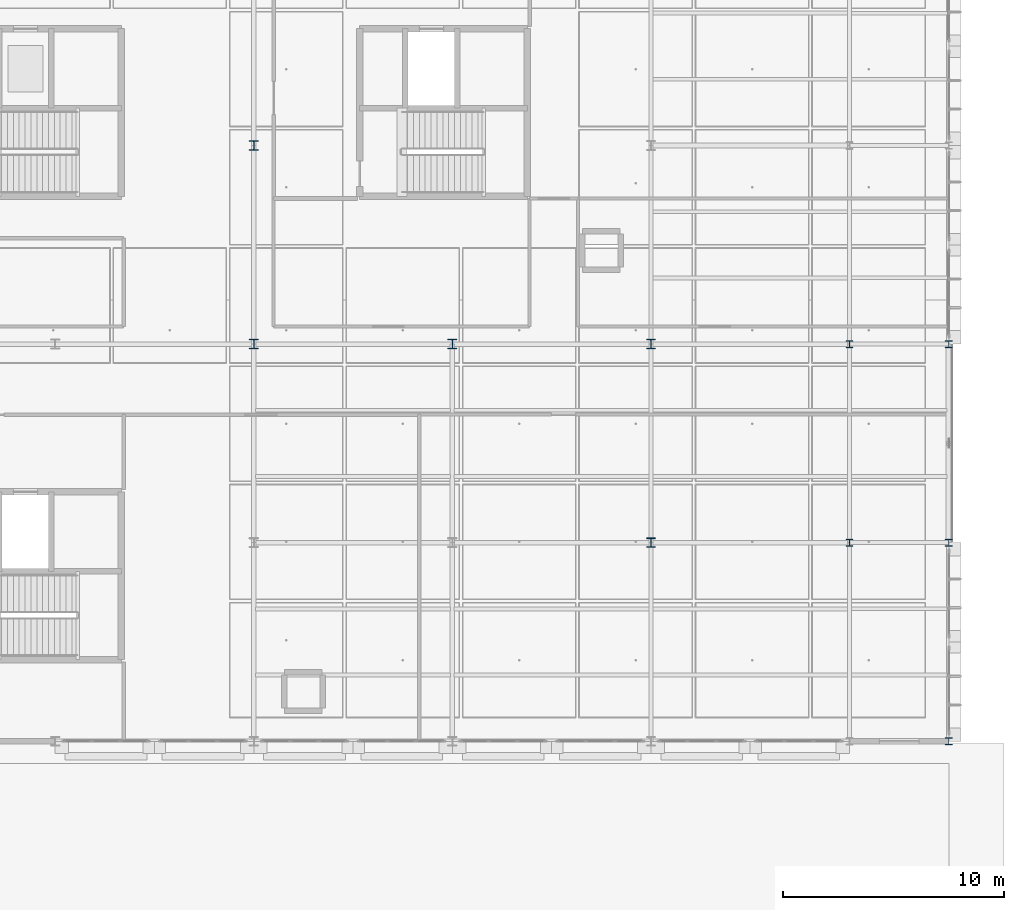
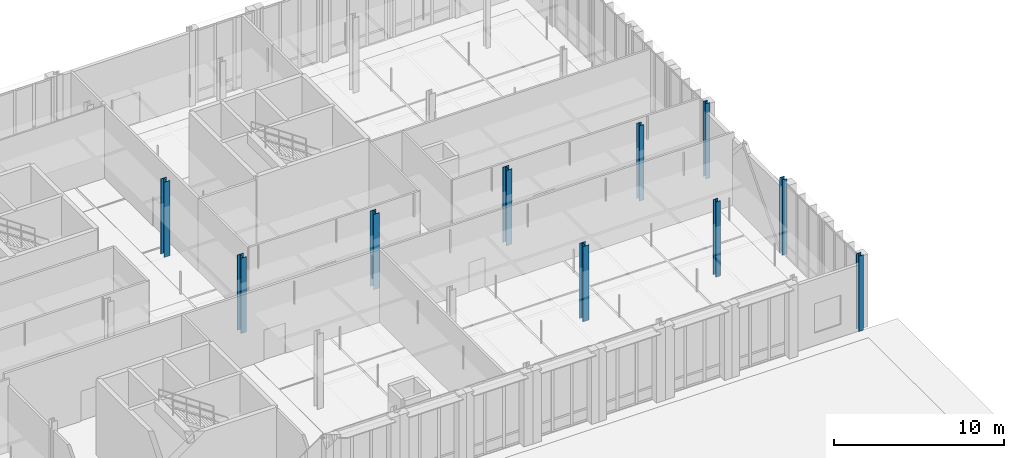
# One storey, part 26 of 180: 10 columns.
"""IFC4 building model written with IfcOpenShell, lengths in metres."""

from ifc_helpers import new_model, si_unit, direction, frame, origin, origin_2d, place, context, subcontext, project, spatial, i_section, extrude, material, material_profile, profile_set, type_object, element, save


model = new_model("IFC4")

# Units and contexts
model_context = context("Model", 3, precision=1e-05, world=origin(), true_north=direction((0.0, 1.0)))
body_context = subcontext(model_context, "Body", "Model", "MODEL_VIEW")
ifc_project = project(units=[si_unit("LENGTHUNIT", "METRE"), si_unit("AREAUNIT", "SQUARE_METRE"), si_unit("VOLUMEUNIT", "CUBIC_METRE"), si_unit("PLANEANGLEUNIT", "RADIAN"), si_unit("MASSUNIT", "GRAM", prefix="KILO"), si_unit("THERMODYNAMICTEMPERATUREUNIT", "KELVIN"), si_unit("POWERUNIT", "WATT")], contexts=[model_context])

# Site, building, storey
site_placement = place(None, origin())
site = spatial("IfcSite", under=ifc_project, at=site_placement, CompositionType="ELEMENT")
building_placement = place(site_placement, origin())
building = spatial("IfcBuilding", under=site, at=building_placement, Name="Tallowbark Science Centre", CompositionType="ELEMENT")
storey_placement = place(building_placement, origin())
storey = spatial("IfcBuildingStorey", under=building, at=storey_placement, Name="L00", CompositionType="ELEMENT", Elevation=0.0)

# Columns
ifc_material = material(Name="Structural Steel Grade 300PLUS (300 MPa)", Category="steel")
ifc_material_profile_1 = material_profile(ifc_material, i_section(OverallWidth=0.30908203125, OverallDepth=0.320556640625, WebThickness=0.013916015625, FlangeThickness=0.021728515625, FilletRadius=0.0166015625, at=origin_2d()), Name="310UC137")
ifc_profile_set_1 = profile_set([ifc_material_profile_1], Name="Structural Steel Grade 300PLUS (300 MPa)")
column_type_1 = type_object("IfcColumnType", Name="COL-UC310B", PredefinedType="COLUMN", material=ifc_profile_set_1)
for number, where, z_axis, x_axis, name in (
    (1, (157.5, 81.0, 0.0), (0.0, 0.0, 1.0), (1.0, 0.0, 0.0), "Column OBS-5_1 L00"),
    (2, (157.5, 90.0, 0.0), (0.0, 0.0, 1.0), (1.0, 0.0, 0.0), "Column OBS-5_2 L00"),
):
    element("IfcColumn", number, at=place(storey_placement, frame(where, z_axis=z_axis, x_axis=x_axis)), inside=storey, type_object=column_type_1, Name=name, PredefinedType="COLUMN", context=body_context, shape_type="SweptSolid", body=[
        extrude(i_section(OverallWidth=0.30908203125, OverallDepth=0.320556640625, WebThickness=0.013916015625, FlangeThickness=0.021728515625, FilletRadius=0.0166015625, at=origin_2d()), origin(), (0.0, 0.0, 1.0), 5.39990234375),
    ])
ifc_material_profile_2 = material_profile(ifc_material, i_section(OverallWidth=0.307373046875, OverallDepth=0.314697265625, WebThickness=0.011962890625, FlangeThickness=0.018798828125, FilletRadius=0.0166015625, at=origin_2d()), Name="310UC118")
ifc_profile_set_2 = profile_set([ifc_material_profile_2], Name="Structural Steel Grade 300PLUS (300 MPa)")
column_type_2 = type_object("IfcColumnType", Name="COL-UC310C", PredefinedType="COLUMN", material=ifc_profile_set_2)
for number, where, z_axis, x_axis, name in (
    (3, (162.0, 72.0, 0.0), (0.0, 0.0, 1.0), (1.0, 0.0, 0.0), "Column OBS-6_0 L00"),
    (4, (162.0, 81.0, 0.0), (0.0, 0.0, 1.0), (1.0, 0.0, 0.0), "Column OBS-6_1 L00"),
    (5, (162.0, 90.0, 0.0), (0.0, 0.0, 1.0), (1.0, 0.0, 0.0), "Column OBS-6_2 L00"),
):
    element("IfcColumn", number, at=place(storey_placement, frame(where, z_axis=z_axis, x_axis=x_axis)), inside=storey, type_object=column_type_2, Name=name, PredefinedType="COLUMN", context=body_context, shape_type="SweptSolid", body=[
        extrude(i_section(OverallWidth=0.307373046875, OverallDepth=0.314697265625, WebThickness=0.011962890625, FlangeThickness=0.018798828125, FilletRadius=0.0166015625, at=origin_2d()), origin(), (0.0, 0.0, 1.0), 5.39990234375),
    ])
ifc_material_profile_3 = material_profile(ifc_material, i_section(OverallWidth=0.39990234375, OverallDepth=0.427978515625, WebThickness=0.02001953125, FlangeThickness=0.028076171875, FilletRadius=0.01611328125, at=origin_2d()), Name="400WC270")
ifc_profile_set_3 = profile_set([ifc_material_profile_3], Name="Structural Steel Grade 300PLUS (300 MPa)")
column_type_3 = type_object("IfcColumnType", Name="COL-WC400", PredefinedType="COLUMN", material=ifc_profile_set_3)
for number, where, z_axis, x_axis, name in (
    (6, (130.5, 90.0, 0.0), (0.0, 0.0, 1.0), (1.0, 0.0, 0.0), "Column OBS-2_2 L00"),
    (7, (130.5, 99.0, 0.0), (0.0, 0.0, 1.0), (1.0, 0.0, 0.0), "Column OBS-2_3 L00"),
    (8, (139.5, 90.0, 0.0), (0.0, 0.0, 1.0), (1.0, 0.0, 0.0), "Column OBS-3_2 L00"),
    (9, (148.5, 81.0, 0.0), (0.0, 0.0, 1.0), (1.0, 0.0, 0.0), "Column OBS-4_1 L00"),
    (10, (148.5, 90.0, 0.0), (0.0, 0.0, 1.0), (1.0, 0.0, 0.0), "Column OBS-4_2 L00"),
):
    element("IfcColumn", number, at=place(storey_placement, frame(where, z_axis=z_axis, x_axis=x_axis)), inside=storey, type_object=column_type_3, Name=name, PredefinedType="COLUMN", context=body_context, shape_type="SweptSolid", body=[
        extrude(i_section(OverallWidth=0.39990234375, OverallDepth=0.427978515625, WebThickness=0.02001953125, FlangeThickness=0.028076171875, FilletRadius=0.01611328125, at=origin_2d()), origin(), (0.0, 0.0, 1.0), 5.39990234375),
    ])

save(model, "model.ifc")
